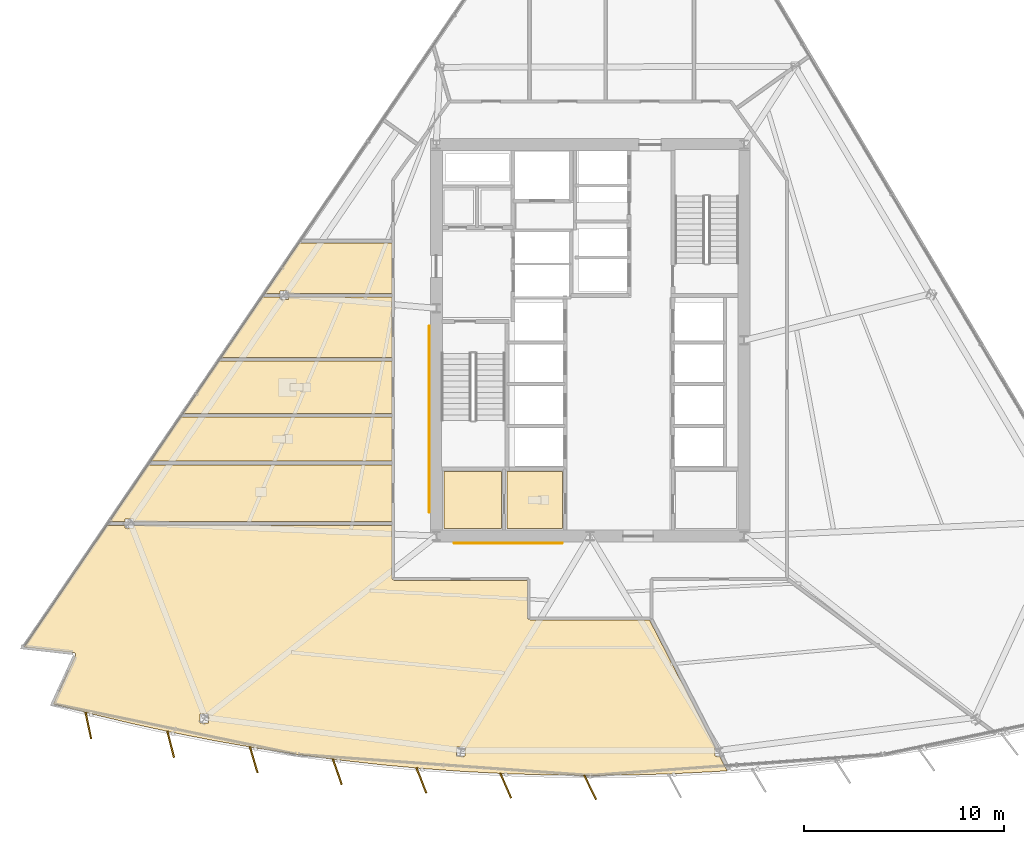
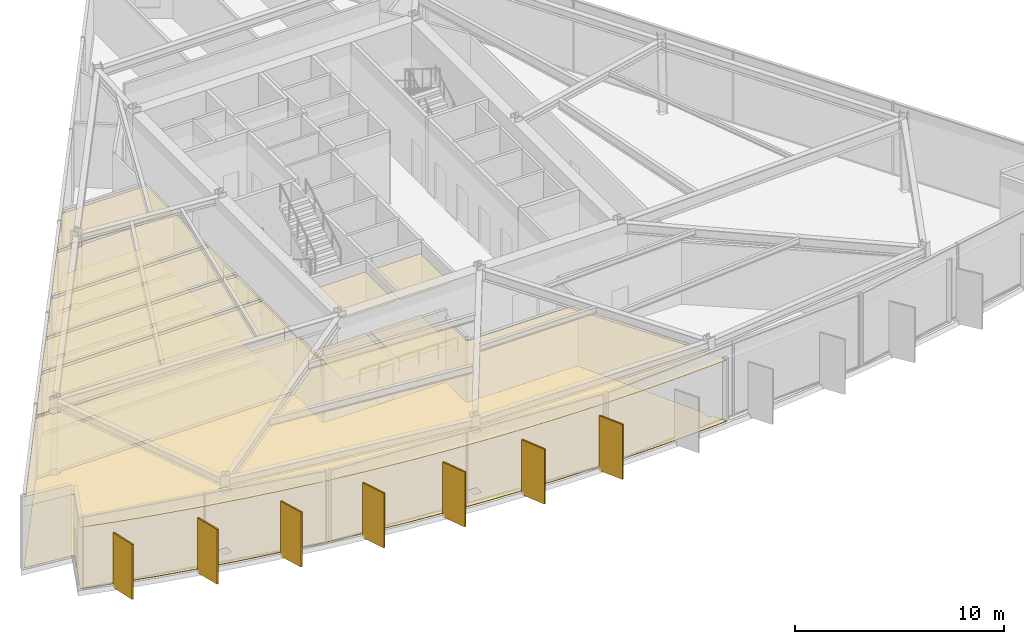
# One storey, part 10 of 14: 16 coverings, 7 shading devices, 2 railings.
"""IFC4 building model written with IfcOpenShell, lengths in metres."""

from ifc_helpers import new_model, si_unit, direction, frame, origin, origin_2d, place, context, subcontext, project, spatial, polyline, rectangle, circle, outline, extrude, material, layer, layer_set, type_object, element, save


model = new_model("IFC4")

# Units and contexts
model_context = context("Model", 3, precision=1e-05, world=origin(), true_north=direction((0.0, 1.0)))
body_context = subcontext(model_context, "Body", "Model", "MODEL_VIEW")
ifc_project = project(units=[si_unit("LENGTHUNIT", "METRE"), si_unit("AREAUNIT", "SQUARE_METRE"), si_unit("VOLUMEUNIT", "CUBIC_METRE"), si_unit("PLANEANGLEUNIT", "RADIAN"), si_unit("MASSUNIT", "GRAM", prefix="KILO")], contexts=[model_context])

# Site, building, storey
site_placement = place(None, origin())
site = spatial("IfcSite", under=ifc_project, at=site_placement, CompositionType="ELEMENT")
building_placement = place(site_placement, origin())
building = spatial("IfcBuilding", under=site, at=building_placement, Name="Savorim Split Tower", CompositionType="ELEMENT")
storey_placement = place(building_placement, frame((0.0, 0.0, 78.0)))
storey = spatial("IfcBuildingStorey", under=building, at=storey_placement, Name="L20", CompositionType="ELEMENT", Elevation=78.0)

# Coverings
ifc_material_1 = material(Name="Mineral Fibre Acoustic Ceiling")
ifc_layer_1 = layer(ifc_material_1, 0.02490234375)
ifc_layer_set_1 = layer_set([ifc_layer_1], Name="COV-CEIL-25")
covering_type_1 = type_object("IfcCoveringType", Name="COV-CEIL-25", PredefinedType="CEILING", material=ifc_layer_set_1)
covering_1_placement = place(storey_placement, frame((0.0, 0.0, 3.570068359375)))
element("IfcCovering", 1, at=covering_1_placement, inside=storey, type_object=covering_type_1, Name="L20 Housekeeping Store Acoustic Ceiling", PredefinedType="CEILING", context=body_context, shape_type="SweptSolid", body=[
    extrude(outline(polyline([(-7.320068359375, -6.179931640625), (-7.320068359375, -9.02001953125), (-4.429931640625, -9.02001953125), (-4.429931640625, -6.179931640625), (-7.320068359375, -6.179931640625)])), origin(), (0.0, 0.0, 1.0), 0.02490234375),
])
covering_2_placement = place(storey_placement, frame((0.0, 0.0, 3.570068359375)))
element("IfcCovering", 2, at=covering_2_placement, inside=storey, type_object=covering_type_1, Name="L20 Accessible WC Acoustic Ceiling", PredefinedType="CEILING", context=body_context, shape_type="SweptSolid", body=[
    extrude(outline(polyline([(-4.169921875, -6.179931640625), (-4.169921875, -9.02001953125), (-1.3798828125, -9.02001953125), (-1.3798828125, -6.179931640625), (-4.169921875, -6.179931640625)])), origin(), (0.0, 0.0, 1.0), 0.02490234375),
])
covering_3_placement = place(storey_placement, frame((0.0, 0.0, 3.570068359375)))
element("IfcCovering", 3, at=covering_3_placement, inside=storey, type_object=covering_type_1, Name="L20 Shared Bathroom Acoustic Ceiling", PredefinedType="CEILING", context=body_context, shape_type="SweptSolid", body=[
    extrude(outline(polyline([(-18.593505859375, -0.647216796875), (-20.371826171875, -3.26123046875), (-9.919921875, -3.26123046875), (-9.919921875, -0.64697265625), (-18.593505859375, -0.647216796875)])), origin(), (0.0, 0.0, 1.0), 0.02490234375),
])
covering_4_placement = place(storey_placement, frame((0.0, 0.0, 3.570068359375)))
element("IfcCovering", 4, at=covering_4_placement, inside=storey, type_object=covering_type_1, Name="L20 Accessible WC Acoustic Ceiling", PredefinedType="CEILING", context=body_context, shape_type="SweptSolid", body=[
    extrude(outline(polyline([(-20.501220703125, -3.451171875), (-21.993896484375, -5.6455078125), (-9.919921875, -5.6455078125), (-9.919921875, -3.451171875), (-20.501220703125, -3.451171875)])), origin(), (0.0, 0.0, 1.0), 0.02490234375),
])
covering_5_placement = place(storey_placement, frame((0.0, 0.0, 3.570068359375)))
element("IfcCovering", 5, at=covering_5_placement, inside=storey, type_object=covering_type_1, Name="L20 Communal Kitchen Acoustic Ceiling", PredefinedType="CEILING", context=body_context, shape_type="SweptSolid", body=[
    extrude(outline(polyline([(-22.85107421875, -8.5419921875), (-22.85107421875, -8.669677734375), (-9.919921875, -8.669677734375), (-9.919921875, -5.83544921875), (-22.123046875, -5.83544921875), (-24.051025390625, -8.669677734375), (-23.280029296875, -8.669677734375), (-23.280029296875, -8.5419921875), (-22.85107421875, -8.5419921875)])), origin(), (0.0, 0.0, 1.0), 0.02490234375),
])
covering_6_placement = place(storey_placement, frame((0.0, 0.0, 3.570068359375)))
element("IfcCovering", 6, at=covering_6_placement, inside=storey, type_object=covering_type_1, Name="L20 Co-Working Commons Acoustic Ceiling", PredefinedType="CEILING", context=body_context, shape_type="SweptSolid", body=[
    extrude(outline(polyline([(-25.751708984375, -15.35107421875), (-25.752685546875, -15.36279296875), (-25.7548828125, -15.374755859375), (-25.758056640625, -15.385986328125), (-25.7626953125, -15.397216796875), (-26.867919921875, -17.80322265625), (-24.9716796875, -18.29931640625), (-22.927490234375, -18.789306640625), (-20.873779296875, -19.237548828125), (-18.8115234375, -19.6435546875), (-16.7412109375, -20.00732421875), (-14.6640625, -20.32861328125), (-12.58056640625, -20.607421875), (-10.49169921875, -20.843505859375), (-8.398681640625, -21.036865234375), (-6.302001953125, -21.187255859375), (-4.202880859375, -21.294921875), (-2.101806640625, -21.359375), (0.0, -21.380859375), (2.101806640625, -21.359375), (4.202880859375, -21.294921875), (6.302001953125, -21.187255859375), (6.857421875, -21.1474609375), (6.478271484375, -20.410888671875), (6.256103515625, -20.410888671875), (6.256103515625, -19.979248046875), (2.9814453125, -13.61669921875), (2.9677734375, -13.590087890625), (-3.0, -13.590087890625), (-3.013671875, -13.58935546875), (-3.02734375, -13.58740234375), (-3.04052734375, -13.583984375), (-3.0537109375, -13.579345703125), (-3.06591796875, -13.573486328125), (-3.077880859375, -13.56640625), (-3.0888671875, -13.55810546875), (-3.09912109375, -13.549072265625), (-3.108154296875, -13.538818359375), (-3.116455078125, -13.52783203125), (-3.12353515625, -13.51611328125), (-3.12939453125, -13.503662109375), (-3.134033203125, -13.490478515625), (-3.13720703125, -13.477294921875), (-3.139404296875, -13.463623046875), (-3.139892578125, -13.449951171875), (-3.139892578125, -11.6201171875), (-9.780029296875, -11.6201171875), (-9.793701171875, -11.619384765625), (-9.807373046875, -11.6171875), (-9.820556640625, -11.614013671875), (-9.83349609375, -11.609375), (-9.845947265625, -11.603515625), (-9.85791015625, -11.596435546875), (-9.868896484375, -11.588134765625), (-9.87890625, -11.5791015625), (-9.88818359375, -11.56884765625), (-9.896484375, -11.557861328125), (-9.903564453125, -11.5458984375), (-9.9091796875, -11.53369140625), (-9.9140625, -11.5205078125), (-9.917236328125, -11.50732421875), (-9.919189453125, -11.49365234375), (-9.919921875, -11.47998046875), (-9.919921875, -8.859619140625), (-22.85107421875, -8.859619140625), (-22.85107421875, -8.987060546875), (-23.280029296875, -8.987060546875), (-23.280029296875, -8.859619140625), (-24.05517578125, -8.859619140625), (-24.150146484375, -8.859619140625), (-24.150146484375, -8.815185546875), (-28.3251953125, -14.952392578125), (-25.8583984375, -15.227783203125), (-25.846435546875, -15.229736328125), (-25.8349609375, -15.23291015625), (-25.82373046875, -15.237060546875), (-25.81298828125, -15.2421875), (-25.802978515625, -15.248779296875), (-25.79345703125, -15.256103515625), (-25.784912109375, -15.26416015625), (-25.777099609375, -15.273193359375), (-25.770263671875, -15.282958984375), (-25.764404296875, -15.293212890625), (-25.759521484375, -15.30419921875), (-25.755859375, -15.315673828125), (-25.75341796875, -15.3271484375), (-25.751953125, -15.339111328125), (-25.751708984375, -15.35107421875)]), holes=[polyline([(-19.52099609375, -18.762939453125), (-19.091796875, -18.762939453125), (-19.091796875, -18.31787109375), (-19.52099609375, -18.31787109375), (-19.52099609375, -18.762939453125)]), polyline([(-6.68505859375, -20.410888671875), (-6.256103515625, -20.410888671875), (-6.256103515625, -19.9658203125), (-6.68505859375, -19.9658203125), (-6.68505859375, -20.410888671875)])]), origin(), (0.0, 0.0, 1.0), 0.02490234375),
])
covering_7_placement = place(storey_placement, frame((0.0, 0.0, 3.570068359375)))
element("IfcCovering", 7, at=covering_7_placement, inside=storey, type_object=covering_type_1, Name="L20 Co-Working Commons Acoustic Ceiling", PredefinedType="CEILING", context=body_context, shape_type="SweptSolid", body=[
    extrude(outline(polyline([(-15.08447265625, 2.87451171875), (-15.08447265625, 2.7470703125), (-9.919921875, 2.7470703125), (-9.919921875, 5.278564453125), (-14.5625, 5.278564453125), (-16.284423828125, 2.7470703125), (-15.513427734375, 2.7470703125), (-15.513427734375, 2.87451171875), (-15.08447265625, 2.87451171875)])), origin(), (0.0, 0.0, 1.0), 0.02490234375),
])
covering_8_placement = place(storey_placement, frame((0.0, 0.0, 3.570068359375)))
element("IfcCovering", 8, at=covering_8_placement, inside=storey, type_object=covering_type_1, Name="L20 Sky Lobby Acoustic Ceiling", PredefinedType="CEILING", context=body_context, shape_type="SweptSolid", body=[
    extrude(outline(polyline([(-15.513427734375, 2.55712890625), (-16.288818359375, 2.55712890625), (-16.3837890625, 2.55712890625), (-16.3837890625, 2.601318359375), (-18.46435546875, -0.45703125), (-9.919921875, -0.45703125), (-9.919921875, 2.55712890625), (-15.08447265625, 2.55712890625), (-15.08447265625, 2.4296875), (-15.513427734375, 2.4296875), (-15.513427734375, 2.55712890625)])), origin(), (0.0, 0.0, 1.0), 0.02490234375),
])
ifc_material_2 = material(Name="Porcelain Stoneware Flooring", Category="masonry")
ifc_layer_2 = layer(ifc_material_2, 0.02001953125)
ifc_layer_set_2 = layer_set([ifc_layer_2], Name="COV-FLOR-20")
covering_type_2 = type_object("IfcCoveringType", Name="COV-FLOR-20", PredefinedType="FLOORING", material=ifc_layer_set_2)
covering_9_placement = place(storey_placement, origin())
element("IfcCovering", 9, at=covering_9_placement, inside=storey, type_object=covering_type_2, Name="L20 Housekeeping Store Porcelain Flooring", PredefinedType="FLOORING", context=body_context, shape_type="SweptSolid", body=[
    extrude(outline(polyline([(-7.320068359375, -6.179931640625), (-7.320068359375, -9.02001953125), (-4.429931640625, -9.02001953125), (-4.429931640625, -6.179931640625), (-7.320068359375, -6.179931640625)])), origin(), (0.0, 0.0, 1.0), 0.02001953125),
])
covering_10_placement = place(storey_placement, origin())
element("IfcCovering", 10, at=covering_10_placement, inside=storey, type_object=covering_type_2, Name="L20 Accessible WC Porcelain Flooring", PredefinedType="FLOORING", context=body_context, shape_type="SweptSolid", body=[
    extrude(outline(polyline([(-4.169921875, -6.179931640625), (-4.169921875, -9.02001953125), (-1.3798828125, -9.02001953125), (-1.3798828125, -6.179931640625), (-4.169921875, -6.179931640625)])), origin(), (0.0, 0.0, 1.0), 0.02001953125),
])
covering_11_placement = place(storey_placement, origin())
element("IfcCovering", 11, at=covering_11_placement, inside=storey, type_object=covering_type_2, Name="L20 Shared Bathroom Porcelain Flooring", PredefinedType="FLOORING", context=body_context, shape_type="SweptSolid", body=[
    extrude(outline(polyline([(-18.593505859375, -0.647216796875), (-20.371826171875, -3.26123046875), (-9.919921875, -3.26123046875), (-9.919921875, -0.64697265625), (-18.593505859375, -0.647216796875)])), origin(), (0.0, 0.0, 1.0), 0.02001953125),
])
covering_12_placement = place(storey_placement, origin())
element("IfcCovering", 12, at=covering_12_placement, inside=storey, type_object=covering_type_2, Name="L20 Accessible WC Porcelain Flooring", PredefinedType="FLOORING", context=body_context, shape_type="SweptSolid", body=[
    extrude(outline(polyline([(-20.501220703125, -3.451171875), (-21.993896484375, -5.6455078125), (-9.919921875, -5.6455078125), (-9.919921875, -3.451171875), (-20.501220703125, -3.451171875)])), origin(), (0.0, 0.0, 1.0), 0.02001953125),
])
covering_13_placement = place(storey_placement, origin())
element("IfcCovering", 13, at=covering_13_placement, inside=storey, type_object=covering_type_2, Name="L20 Communal Kitchen Porcelain Flooring", PredefinedType="FLOORING", context=body_context, shape_type="SweptSolid", body=[
    extrude(outline(polyline([(-22.85107421875, -8.5419921875), (-22.85107421875, -8.669677734375), (-9.919921875, -8.669677734375), (-9.919921875, -5.83544921875), (-22.123046875, -5.83544921875), (-24.051025390625, -8.669677734375), (-23.280029296875, -8.669677734375), (-23.280029296875, -8.5419921875), (-22.85107421875, -8.5419921875)])), origin(), (0.0, 0.0, 1.0), 0.02001953125),
])
covering_14_placement = place(storey_placement, origin())
element("IfcCovering", 14, at=covering_14_placement, inside=storey, type_object=covering_type_2, Name="L20 Co-Working Commons Porcelain Flooring", PredefinedType="FLOORING", context=body_context, shape_type="SweptSolid", body=[
    extrude(outline(polyline([(-25.751708984375, -15.35107421875), (-25.752685546875, -15.36279296875), (-25.7548828125, -15.374755859375), (-25.758056640625, -15.385986328125), (-25.7626953125, -15.397216796875), (-26.867919921875, -17.80322265625), (-24.9716796875, -18.29931640625), (-22.927490234375, -18.789306640625), (-20.873779296875, -19.237548828125), (-18.8115234375, -19.6435546875), (-16.7412109375, -20.00732421875), (-14.6640625, -20.32861328125), (-12.58056640625, -20.607421875), (-10.49169921875, -20.843505859375), (-8.398681640625, -21.036865234375), (-6.302001953125, -21.187255859375), (-4.202880859375, -21.294921875), (-2.101806640625, -21.359375), (0.0, -21.380859375), (2.101806640625, -21.359375), (4.202880859375, -21.294921875), (6.302001953125, -21.187255859375), (6.857421875, -21.1474609375), (6.478271484375, -20.410888671875), (6.256103515625, -20.410888671875), (6.256103515625, -19.979248046875), (2.9814453125, -13.61669921875), (2.9677734375, -13.590087890625), (-3.0, -13.590087890625), (-3.013671875, -13.58935546875), (-3.02734375, -13.58740234375), (-3.04052734375, -13.583984375), (-3.0537109375, -13.579345703125), (-3.06591796875, -13.573486328125), (-3.077880859375, -13.56640625), (-3.0888671875, -13.55810546875), (-3.09912109375, -13.549072265625), (-3.108154296875, -13.538818359375), (-3.116455078125, -13.52783203125), (-3.12353515625, -13.51611328125), (-3.12939453125, -13.503662109375), (-3.134033203125, -13.490478515625), (-3.13720703125, -13.477294921875), (-3.139404296875, -13.463623046875), (-3.139892578125, -13.449951171875), (-3.139892578125, -11.6201171875), (-9.780029296875, -11.6201171875), (-9.793701171875, -11.619384765625), (-9.807373046875, -11.6171875), (-9.820556640625, -11.614013671875), (-9.83349609375, -11.609375), (-9.845947265625, -11.603515625), (-9.85791015625, -11.596435546875), (-9.868896484375, -11.588134765625), (-9.87890625, -11.5791015625), (-9.88818359375, -11.56884765625), (-9.896484375, -11.557861328125), (-9.903564453125, -11.5458984375), (-9.9091796875, -11.53369140625), (-9.9140625, -11.5205078125), (-9.917236328125, -11.50732421875), (-9.919189453125, -11.49365234375), (-9.919921875, -11.47998046875), (-9.919921875, -8.859619140625), (-22.85107421875, -8.859619140625), (-22.85107421875, -8.987060546875), (-23.280029296875, -8.987060546875), (-23.280029296875, -8.859619140625), (-24.05517578125, -8.859619140625), (-24.150146484375, -8.859619140625), (-24.150146484375, -8.815185546875), (-28.3251953125, -14.952392578125), (-25.8583984375, -15.227783203125), (-25.846435546875, -15.229736328125), (-25.8349609375, -15.23291015625), (-25.82373046875, -15.237060546875), (-25.81298828125, -15.2421875), (-25.802978515625, -15.248779296875), (-25.79345703125, -15.256103515625), (-25.784912109375, -15.26416015625), (-25.777099609375, -15.273193359375), (-25.770263671875, -15.282958984375), (-25.764404296875, -15.293212890625), (-25.759521484375, -15.30419921875), (-25.755859375, -15.315673828125), (-25.75341796875, -15.3271484375), (-25.751953125, -15.339111328125), (-25.751708984375, -15.35107421875)]), holes=[polyline([(-19.52099609375, -18.762939453125), (-19.091796875, -18.762939453125), (-19.091796875, -18.31787109375), (-19.52099609375, -18.31787109375), (-19.52099609375, -18.762939453125)]), polyline([(-6.68505859375, -20.410888671875), (-6.256103515625, -20.410888671875), (-6.256103515625, -19.9658203125), (-6.68505859375, -19.9658203125), (-6.68505859375, -20.410888671875)])]), origin(), (0.0, 0.0, 1.0), 0.02001953125),
])
covering_15_placement = place(storey_placement, origin())
element("IfcCovering", 15, at=covering_15_placement, inside=storey, type_object=covering_type_2, Name="L20 Co-Working Commons Porcelain Flooring", PredefinedType="FLOORING", context=body_context, shape_type="SweptSolid", body=[
    extrude(outline(polyline([(-15.08447265625, 2.87451171875), (-15.08447265625, 2.7470703125), (-9.919921875, 2.7470703125), (-9.919921875, 5.278564453125), (-14.5625, 5.278564453125), (-16.284423828125, 2.7470703125), (-15.513427734375, 2.7470703125), (-15.513427734375, 2.87451171875), (-15.08447265625, 2.87451171875)])), origin(), (0.0, 0.0, 1.0), 0.02001953125),
])
covering_16_placement = place(storey_placement, origin())
element("IfcCovering", 16, at=covering_16_placement, inside=storey, type_object=covering_type_2, Name="L20 Sky Lobby Porcelain Flooring", PredefinedType="FLOORING", context=body_context, shape_type="SweptSolid", body=[
    extrude(outline(polyline([(-15.513427734375, 2.55712890625), (-16.288818359375, 2.55712890625), (-16.3837890625, 2.55712890625), (-16.3837890625, 2.601318359375), (-18.46435546875, -0.45703125), (-9.919921875, -0.45703125), (-9.919921875, 2.55712890625), (-15.08447265625, 2.55712890625), (-15.08447265625, 2.4296875), (-15.513427734375, 2.4296875), (-15.513427734375, 2.55712890625)])), origin(), (0.0, 0.0, 1.0), 0.02001953125),
])

# Railings
ifc_material_3 = material(Name="Galvanised Painted Steel Balustrade", Category="steel")
railing_type = type_object("IfcRailingType", Name="RLG-HR-900", PredefinedType="HANDRAIL", material=ifc_material_3)
railing_1_placement = place(storey_placement, frame((-6.800048828125, -9.75, 0.0)))
element("IfcRailing", 17, at=railing_1_placement, inside=storey, type_object=railing_type, Name="L20 Corridor South Accessible Handrail", PredefinedType="HANDRAIL", context=body_context, shape_type="SweptSolid", body=[
    extrude(circle(Radius=0.02392578125, at=origin_2d()), frame((0.0, 0.0, 0.8759765625), z_axis=(1.0, 0.0, 0.0), x_axis=(0.0, 1.0, 0.0)), (0.0, 0.0, 1.0), 5.400146484375),
    extrude(circle(Radius=0.02099609375, at=origin_2d()), origin(), (0.0, 0.0, 1.0), 0.851806640625),
    extrude(circle(Radius=0.02099609375, at=origin_2d()), frame((1.080078125, 0.0, 0.0)), (0.0, 0.0, 1.0), 0.851806640625),
    extrude(circle(Radius=0.02099609375, at=origin_2d()), frame((2.16015625, 0.0, 0.0)), (0.0, 0.0, 1.0), 0.851806640625),
    extrude(circle(Radius=0.02099609375, at=origin_2d()), frame((3.239990234375, 0.0, 0.0)), (0.0, 0.0, 1.0), 0.851806640625),
    extrude(circle(Radius=0.02099609375, at=origin_2d()), frame((4.320068359375, 0.0, 0.0)), (0.0, 0.0, 1.0), 0.851806640625),
    extrude(circle(Radius=0.02099609375, at=origin_2d()), frame((5.400146484375, 0.0, 0.0)), (0.0, 0.0, 1.0), 0.851806640625),
])
railing_2_placement = place(storey_placement, frame((-8.050048828125, -8.199951171875, 0.0)))
element("IfcRailing", 18, at=railing_2_placement, inside=storey, type_object=railing_type, Name="L20 Corridor West Accessible Handrail", PredefinedType="HANDRAIL", context=body_context, shape_type="SweptSolid", body=[
    extrude(circle(Radius=0.02392578125, at=origin_2d()), frame((0.0, 0.0, 0.8759765625), z_axis=(0.0, 1.0, 0.0), x_axis=(-1.0, 0.0, 0.0)), (0.0, 0.0, 1.0), 9.300048828125),
    extrude(circle(Radius=0.02099609375, at=origin_2d()), origin(), (0.0, 0.0, 1.0), 0.851806640625),
    extrude(circle(Radius=0.02099609375, at=origin_2d()), frame((0.0, 1.16259765625, 0.0)), (0.0, 0.0, 1.0), 0.851806640625),
    extrude(circle(Radius=0.02099609375, at=origin_2d()), frame((0.0, 2.324951171875, 0.0)), (0.0, 0.0, 1.0), 0.851806640625),
    extrude(circle(Radius=0.02099609375, at=origin_2d()), frame((0.0, 3.487548828125, 0.0)), (0.0, 0.0, 1.0), 0.851806640625),
    extrude(circle(Radius=0.02099609375, at=origin_2d()), frame((0.0, 4.64990234375, 0.0)), (0.0, 0.0, 1.0), 0.851806640625),
    extrude(circle(Radius=0.02099609375, at=origin_2d()), frame((0.0, 5.8125, 0.0)), (0.0, 0.0, 1.0), 0.851806640625),
    extrude(circle(Radius=0.02099609375, at=origin_2d()), frame((0.0, 6.97509765625, 0.0)), (0.0, 0.0, 1.0), 0.851806640625),
    extrude(circle(Radius=0.02099609375, at=origin_2d()), frame((0.0, 8.137451171875, 0.0)), (0.0, 0.0, 1.0), 0.851806640625),
    extrude(circle(Radius=0.02099609375, at=origin_2d()), frame((0.0, 9.300048828125, 0.0)), (0.0, 0.0, 1.0), 0.851806640625),
])

# Shading devices
ifc_material_4 = material(Name="Terracotta Ceramic-Coated Aluminium Fin", Category="masonry")
shading_device_type = type_object("IfcShadingDeviceType", Name="SHD-FIN-1360", PredefinedType="USERDEFINED", material=ifc_material_4)
for number, where, z_axis, x_axis, name in (
    (19, (-25.116455078125, -18.87744140625, -0.2001953125), (0.0, 0.0, 1.0), (0.206721626106, -0.978399800337, 0.0), "L20 Sawtooth Shading Fin 01"),
    (20, (-20.9951171875, -19.821044921875, -0.2001953125), (0.0, 0.0, 1.0), (0.246581250663, -0.969122121727, 0.0), "L20 Sawtooth Shading Fin 02"),
    (21, (-16.83837890625, -20.595458984375, -0.2001953125), (0.0, 0.0, 1.0), (0.286026212504, -0.958221793616, 0.0), "L20 Sawtooth Shading Fin 03"),
    (22, (-12.653564453125, -21.198974609375, -0.2001953125), (0.0, 0.0, 1.0), (0.324993810493, -0.945716143005, 0.0), "L20 Sawtooth Shading Fin 04"),
    (23, (-8.447509765625, -21.630859375, -0.2001953125), (0.0, 0.0, 1.0), (0.363415461732, -0.931627179817, 0.0), "L20 Sawtooth Shading Fin 05"),
    (24, (-4.227294921875, -21.890380859375, -0.2001953125), (0.0, 0.0, 1.0), (0.401230091723, -0.915977299662, 0.0), "L20 Sawtooth Shading Fin 06"),
    (25, (0.0, -21.976806640625, -0.2001953125), (0.0, 0.0, 1.0), (0.438371146789, -0.898794046299, 0.0), "L20 Sawtooth Shading Fin 07"),
):
    element("IfcShadingDevice", number, at=place(storey_placement, frame(where, z_axis=z_axis, x_axis=x_axis)), inside=storey, type_object=shading_device_type, Name=name, ObjectType="FIN", PredefinedType="USERDEFINED", context=body_context, shape_type="SweptSolid", body=[
        extrude(rectangle(XDim=1.360107421875, YDim=0.080078125, at=origin_2d()), origin(), (0.0, 0.0, 1.0), 3.199951171875),
    ])

save(model, "model.ifc")
